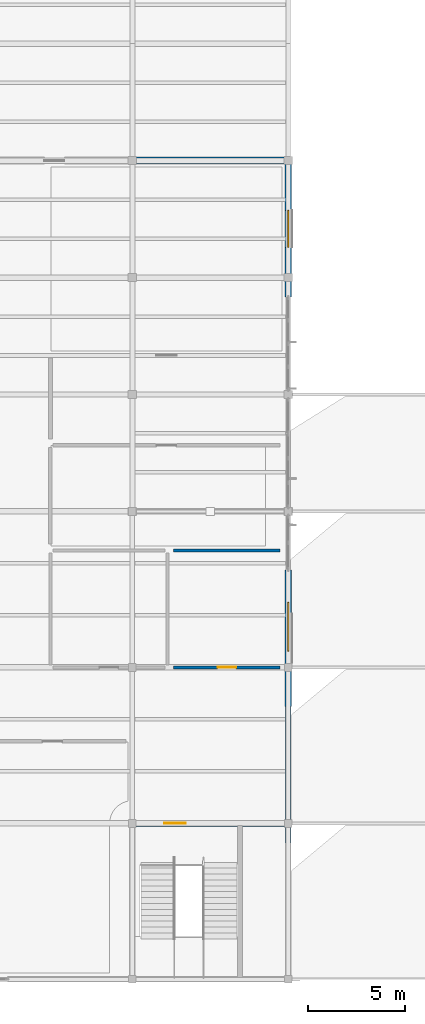
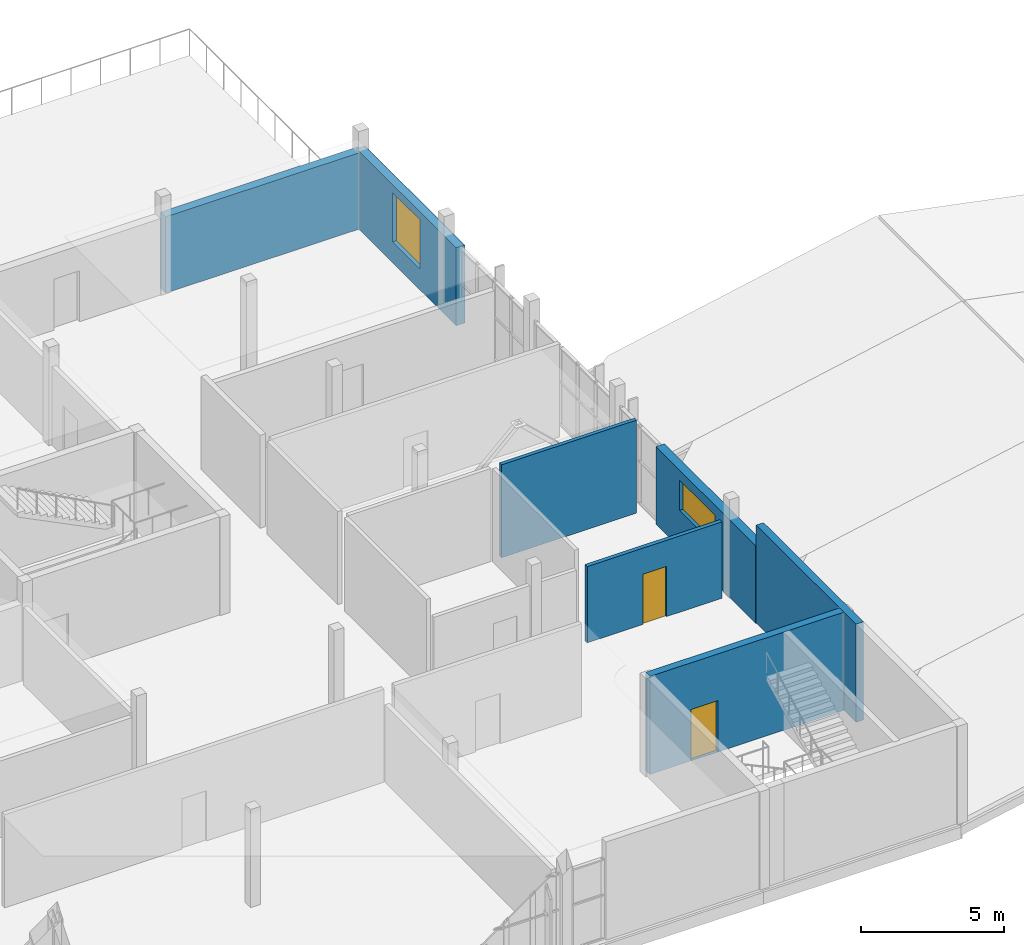
# One storey, part 39 of 45: 7 walls, 2 doors, 2 windows, 4 openings.
"""IFC4 building model written with IfcOpenShell, lengths in metres."""

from ifc_helpers import new_model, si_unit, direction, frame, frame_2d, origin, place, context, subcontext, project, spatial, rectangle, extrude, material, layer, layer_set, type_object, element, fill, save


model = new_model("IFC4")

# Units and contexts
model_context = context("Model", 3, precision=1e-05, world=origin(), true_north=direction((0.0, 1.0)))
body_context = subcontext(model_context, "Body", "Model", "MODEL_VIEW")
ifc_project = project(units=[si_unit("LENGTHUNIT", "METRE"), si_unit("AREAUNIT", "SQUARE_METRE"), si_unit("VOLUMEUNIT", "CUBIC_METRE"), si_unit("PLANEANGLEUNIT", "RADIAN"), si_unit("MASSUNIT", "GRAM", prefix="KILO")], contexts=[model_context])

# Site, building, storey
site_placement = place(None, origin())
site = spatial("IfcSite", under=ifc_project, at=site_placement, CompositionType="ELEMENT")
building_placement = place(site_placement, origin())
building = spatial("IfcBuilding", under=site, at=building_placement, Name="Solvane Community Centre", CompositionType="ELEMENT")
storey_placement = place(building_placement, frame((0.0, 0.0, 13.800048828125)))
storey = spatial("IfcBuildingStorey", under=building, at=storey_placement, Name="L03", CompositionType="ELEMENT", Elevation=13.800048828125)

# Wall
ifc_material_1 = material(Name="Gypsum board partition")
ifc_layer_1 = layer(ifc_material_1, 0.14990234375)
ifc_layer_set_1 = layer_set([ifc_layer_1], Name="Gypsum board partition")
wall_type_1 = type_object("IfcWallType", Name="Acoustic Partition 150mm [55x40dm]", PredefinedType="PARTITIONING", material=ifc_layer_set_1)
wall_1_placement = place(storey_placement, frame((139.580078125, 28.0, 0.0), z_axis=(0.0, 0.0, 1.0), x_axis=(-1.0, 0.0, 0.0)))
element("IfcWall", 1, at=wall_1_placement, inside=storey, type_object=wall_type_1, Name="Interior Wall WL-INT-L03-0352", PredefinedType="PARTITIONING", context=body_context, shape_type="SweptSolid", body=[
    extrude(rectangle(XDim=5.4599609375, YDim=0.14990234375, at=frame_2d((2.72998046875, 0.0))), origin(), (0.0, 0.0, 1.0), 3.97998046875),
])

# Wall, opening, window
ifc_material_2 = material(Name="Precast concrete C35/45", Category="concrete")
ifc_layer_2 = layer(ifc_material_2, 0.35009765625)
ifc_layer_set_2 = layer_set([ifc_layer_2], Name="Precast concrete C35/45")
wall_type_2 = type_object("IfcWallType", Name="Art Deco Limestone Cavity Wall 350mm [70x33dm]", PredefinedType="SOLIDWALL", material=ifc_layer_set_2)
wall_2_placement = place(storey_placement, frame((140.0, 48.0, 0.0), z_axis=(0.0, 0.0, 1.0), x_axis=(0.0, -1.0, 0.0)))
wall_2 = element("IfcWall", 2, at=wall_2_placement, inside=storey, type_object=wall_type_2, Name="Exterior Wall WL-EXT-L03-0152", PredefinedType="SOLIDWALL", context=body_context, shape_type="SweptSolid", body=[
    extrude(rectangle(XDim=7.0, YDim=0.35009765625, at=frame_2d((3.5, 0.0))), origin(), (0.0, 0.0, 1.0), 3.344970703125),
])
opening_1_placement = place(wall_2_placement, frame((2.550048828125, 0.0, 0.89990234375)))
opening_1 = element("IfcOpeningElement", 3, at=opening_1_placement, cuts=wall_2, Name="Opening WN15", PredefinedType="OPENING", context=body_context, shape_type="SweptSolid", body=[
    extrude(rectangle(XDim=1.89990234375, YDim=2.10009765625, at=frame_2d((0.949951171875, 1.050048828125))), frame((0.0, 0.18505859375, 0.0), z_axis=(0.0, -1.0, 0.0), x_axis=(1.0, 0.0, 0.0)), (0.0, 0.0, 1.0), 0.3701171875),
])
ifc_material_3 = material(Name="Tempered low-E double glazing", Category="glass")
window_type_1 = type_object("IfcWindowType", Name="Belvedere Seminar Window 1900x2100", PartitioningType="DOUBLE_PANEL_VERTICAL", PredefinedType="WINDOW", material=ifc_material_3)
window_1_placement = place(opening_1_placement, origin())
window_1 = element("IfcWindow", 4, at=window_1_placement, inside=storey, type_object=window_type_1, Name="L03-W068", OverallHeight=2.10009765625, OverallWidth=1.89990234375, PartitioningType="DOUBLE_PANEL_VERTICAL", PredefinedType="WINDOW", context=body_context, shape_type="SweptSolid", body=[
    extrude(rectangle(XDim=1.89990234375, YDim=2.10009765625, at=frame_2d((0.949951171875, 1.050048828125))), frame((0.0, 0.030029296875, 0.0), z_axis=(0.0, -1.0, 0.0), x_axis=(1.0, 0.0, 0.0)), (0.0, 0.0, 1.0), 0.06005859375),
])
fill(opening_1, window_1)

wall_3_placement = place(storey_placement, frame((140.0, 27.0, 0.0), z_axis=(0.0, 0.0, 1.0), x_axis=(0.0, -1.0, 0.0)))
wall_3 = element("IfcWall", 5, at=wall_3_placement, inside=storey, type_object=wall_type_2, Name="Exterior Wall WL-EXT-L03-0153", PredefinedType="SOLIDWALL", context=body_context, shape_type="SweptSolid", body=[
    extrude(rectangle(XDim=7.0, YDim=0.35009765625, at=frame_2d((3.5, 0.0))), origin(), (0.0, 0.0, 1.0), 3.324951171875),
])
opening_2_placement = place(wall_3_placement, frame((1.6650390625, 0.0, 1.60009765625)))
opening_2 = element("IfcOpeningElement", 6, at=opening_2_placement, cuts=wall_3, Name="Opening WN16", PredefinedType="OPENING", context=body_context, shape_type="SweptSolid", body=[
    extrude(rectangle(XDim=2.5, YDim=1.300048828125, at=frame_2d((1.25, 0.64990234375))), frame((0.0, 0.18505859375, 0.0), z_axis=(0.0, -1.0, 0.0), x_axis=(1.0, 0.0, 0.0)), (0.0, 0.0, 1.0), 0.3701171875),
])
window_type_2 = type_object("IfcWindowType", Name="Cloister Clerestory Window 2500x1300", PartitioningType="DOUBLE_PANEL_VERTICAL", PredefinedType="WINDOW", material=ifc_material_3)
window_2_placement = place(opening_2_placement, origin())
window_2 = element("IfcWindow", 7, at=window_2_placement, inside=storey, type_object=window_type_2, Name="L03-W069", OverallHeight=1.300048828125, OverallWidth=2.5, PartitioningType="DOUBLE_PANEL_VERTICAL", PredefinedType="WINDOW", context=body_context, shape_type="SweptSolid", body=[
    extrude(rectangle(XDim=2.5, YDim=1.300048828125, at=frame_2d((1.25, 0.64990234375))), frame((0.0, 0.030029296875, 0.0), z_axis=(0.0, -1.0, 0.0), x_axis=(1.0, 0.0, 0.0)), (0.0, 0.0, 1.0), 0.06005859375),
])
fill(opening_2, window_2)

# Wall
ifc_layer_3 = layer(ifc_material_2, 0.35009765625)
ifc_layer_set_3 = layer_set([ifc_layer_3], Name="Precast concrete C35/45")
wall_type_3 = type_object("IfcWallType", Name="Art Deco Limestone Cavity Wall 350mm [80x33dm]", PredefinedType="SOLIDWALL", material=ifc_layer_set_3)
wall_4_placement = place(storey_placement, frame((132.0, 48.0, 0.0), z_axis=(0.0, 0.0, 1.0), x_axis=(1.0, 0.0, 0.0)))
element("IfcWall", 8, at=wall_4_placement, inside=storey, type_object=wall_type_3, Name="Exterior Wall WL-EXT-L03-0151", PredefinedType="SOLIDWALL", context=body_context, shape_type="SweptSolid", body=[
    extrude(rectangle(XDim=8.0, YDim=0.35009765625, at=frame_2d((4.0, 0.0))), origin(), (0.0, 0.0, 1.0), 3.264892578125),
])

# Wall, opening, door
ifc_material_4 = material(Name="Concrete C35/45", Category="concrete")
ifc_layer_4 = layer(ifc_material_4, 0.300048828125)
ifc_layer_set_4 = layer_set([ifc_layer_4], Name="Concrete C35/45")
wall_type_4 = type_object("IfcWallType", Name="RC Core Shear Wall 300mm [80x42dm]", PredefinedType="SHEAR", material=ifc_layer_set_4)
wall_5_placement = place(storey_placement, frame((132.0, 14.0, 0.0), z_axis=(0.0, 0.0, 1.0), x_axis=(1.0, 0.0, 0.0)))
wall_5 = element("IfcWall", 9, at=wall_5_placement, inside=storey, type_object=wall_type_4, Name="Interior Wall WL-INT-L03-0067", PredefinedType="SHEAR", context=body_context, shape_type="SweptSolid", body=[
    extrude(rectangle(XDim=8.0, YDim=0.300048828125, at=frame_2d((4.0, 0.0))), origin(), (0.0, 0.0, 1.0), 4.199951171875),
])
opening_3_placement = place(wall_5_placement, frame((1.64990234375, 0.0, 0.0)))
opening_3 = element("IfcOpeningElement", 10, at=opening_3_placement, cuts=wall_5, Name="Opening SD02", PredefinedType="OPENING", context=body_context, shape_type="SweptSolid", body=[
    extrude(rectangle(XDim=1.10009765625, YDim=2.199951171875, at=frame_2d((0.550048828125, 1.10009765625))), frame((0.0, 0.159912109375, 0.0), z_axis=(0.0, -1.0, 0.0), x_axis=(1.0, 0.0, 0.0)), (0.0, 0.0, 1.0), 0.320068359375),
])
ifc_material_5 = material(Name="Anodised bronze aluminium AW-6063 T6", Category="aluminium")
door_type_1 = type_object("IfcDoorType", Name="Core Stair Fire Door 1100x2200", OperationType="NOTDEFINED", PredefinedType="DOOR", material=ifc_material_5)
door_1_placement = place(opening_3_placement, origin())
door_1 = element("IfcDoor", 11, at=door_1_placement, inside=storey, type_object=door_type_1, Name="L03-D026", OperationType="SINGLE_SWING_RIGHT", OverallHeight=2.199951171875, OverallWidth=1.10009765625, PredefinedType="DOOR", context=body_context, shape_type="SweptSolid", body=[
    extrude(rectangle(XDim=1.10009765625, YDim=2.199951171875, at=frame_2d((0.550048828125, 1.10009765625))), frame((0.0, 0.02490234375, 0.0), z_axis=(0.0, -1.0, 0.0), x_axis=(1.0, 0.0, 0.0)), (0.0, 0.0, 1.0), 0.050048828125),
])
fill(opening_3, door_1)

# Wall
ifc_layer_5 = layer(ifc_material_4, 0.300048828125)
ifc_layer_set_5 = layer_set([ifc_layer_5], Name="Concrete C35/45")
wall_type_5 = type_object("IfcWallType", Name="RC Exterior Core Strip Wall 300mm [70x33dm]", PredefinedType="SOLIDWALL", material=ifc_layer_set_5)
wall_6_placement = place(storey_placement, frame((140.0, 20.0, 0.0), z_axis=(0.0, 0.0, 1.0), x_axis=(0.0, -1.0, 0.0)))
element("IfcWall", 12, at=wall_6_placement, inside=storey, type_object=wall_type_5, Name="Exterior Wall WL-EXT-L03-0154", PredefinedType="SOLIDWALL", context=body_context, shape_type="SweptSolid", body=[
    extrude(rectangle(XDim=7.0, YDim=0.300048828125, at=frame_2d((3.5, 0.0))), origin(), (0.0, 0.0, 1.0), 4.199951171875),
])

# Wall, opening, door
ifc_layer_6 = layer(ifc_material_1, 0.159912109375)
ifc_layer_set_6 = layer_set([ifc_layer_6], Name="Gypsum board partition")
wall_type_6 = type_object("IfcWallType", Name="Sanitary Plumbing Chase Wall 160mm [55x33dm]", PredefinedType="PLUMBINGWALL", material=ifc_layer_set_6)
wall_7_placement = place(storey_placement, frame((134.1201171875, 22.0, 0.0), z_axis=(0.0, 0.0, 1.0), x_axis=(1.0, 0.0, 0.0)))
wall_7 = element("IfcWall", 13, at=wall_7_placement, inside=storey, type_object=wall_type_6, Name="Interior Wall WL-INT-L03-0351", PredefinedType="PLUMBINGWALL", context=body_context, shape_type="SweptSolid", body=[
    extrude(rectangle(XDim=5.4599609375, YDim=0.159912109375, at=frame_2d((2.72998046875, 0.0))), origin(), (0.0, 0.0, 1.0), 3.264892578125),
])
opening_4_placement = place(wall_7_placement, frame((2.2548828125, 0.0, 0.0)))
opening_4 = element("IfcOpeningElement", 14, at=opening_4_placement, cuts=wall_7, Name="Opening ID03", PredefinedType="OPENING", context=body_context, shape_type="SweptSolid", body=[
    extrude(rectangle(XDim=0.949951171875, YDim=2.14990234375, at=frame_2d((0.47509765625, 1.074951171875))), frame((0.0, 0.08984375, 0.0), z_axis=(0.0, -1.0, 0.0), x_axis=(1.0, 0.0, 0.0)), (0.0, 0.0, 1.0), 0.179931640625),
])
door_type_2 = type_object("IfcDoorType", Name="Accessible Sanitary Door 950x2150", OperationType="NOTDEFINED", PredefinedType="DOOR", material=ifc_material_5)
door_2_placement = place(opening_4_placement, origin())
door_2 = element("IfcDoor", 15, at=door_2_placement, inside=storey, type_object=door_type_2, Name="L03-D140", OperationType="SINGLE_SWING_RIGHT", OverallHeight=2.14990234375, OverallWidth=0.949951171875, PredefinedType="DOOR", context=body_context, shape_type="SweptSolid", body=[
    extrude(rectangle(XDim=0.949951171875, YDim=2.14990234375, at=frame_2d((0.47509765625, 1.074951171875))), frame((0.0, 0.02490234375, 0.0), z_axis=(0.0, -1.0, 0.0), x_axis=(1.0, 0.0, 0.0)), (0.0, 0.0, 1.0), 0.050048828125),
])
fill(opening_4, door_2)

save(model, "model.ifc")
